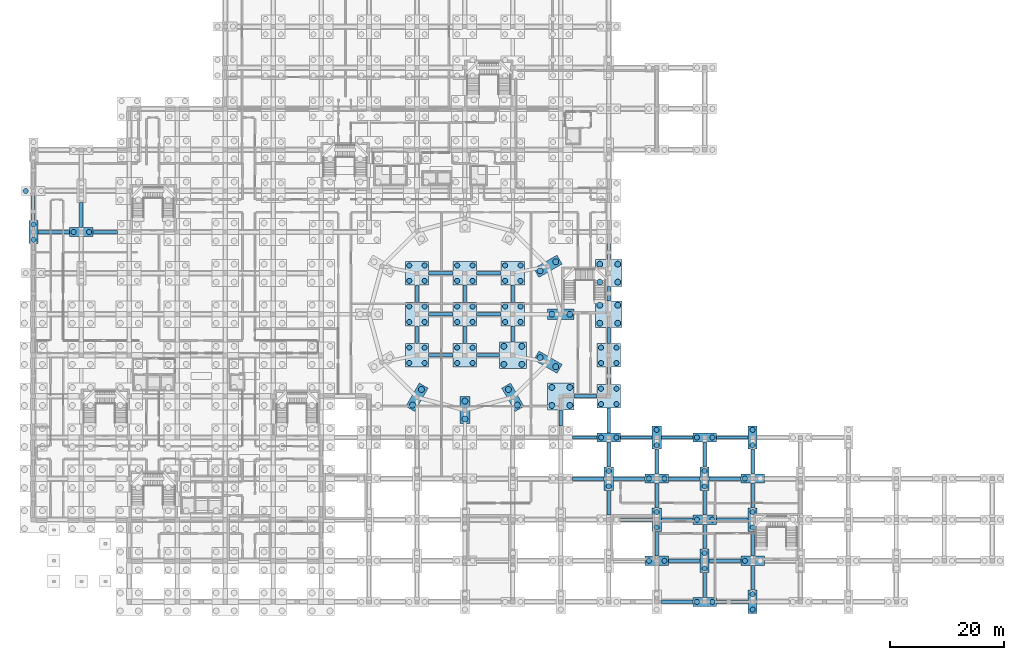
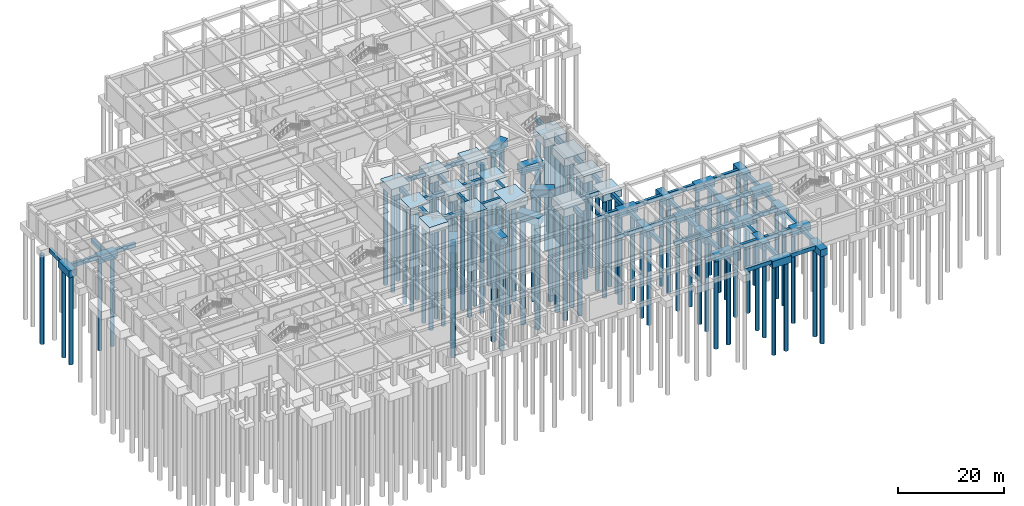
# One storey, part 4 of 32: 103 piles, 89 footings.
"""IFC4 building model written with IfcOpenShell, lengths in metres."""

from ifc_helpers import new_model, si_unit, derived_unit, direction, frame, origin, origin_2d, place, context, subcontext, project, spatial, rectangle, circle, extrude, material, material_profile, profile_set, type_object, element, save


model = new_model("IFC4")

# Units and contexts
model_context = context("Model", 3, precision=1e-05, world=origin(), true_north=direction((0.0, 1.0)))
body_context = subcontext(model_context, "Body", "Model", "MODEL_VIEW")
ifc_project = project(units=[si_unit("LENGTHUNIT", "METRE"), si_unit("AREAUNIT", "SQUARE_METRE"), si_unit("VOLUMEUNIT", "CUBIC_METRE"), si_unit("PLANEANGLEUNIT", "RADIAN"), si_unit("MASSUNIT", "GRAM", prefix="KILO"), derived_unit("THERMALTRANSMITTANCEUNIT", [(si_unit("POWERUNIT", "WATT"), 1), (si_unit("LENGTHUNIT", "METRE"), -2), (si_unit("THERMODYNAMICTEMPERATUREUNIT", "KELVIN"), -1)])], contexts=[model_context])

# Site, building, storey
site_placement = place(None, origin())
site = spatial("IfcSite", under=ifc_project, at=site_placement, CompositionType="ELEMENT")
building_placement = place(site_placement, origin())
building = spatial("IfcBuilding", under=site, at=building_placement, Name="Veybourne Emporium", CompositionType="ELEMENT")
storey_placement = place(building_placement, frame((0.0, 0.0, -5.39990234375)))
storey = spatial("IfcBuildingStorey", under=building, at=storey_placement, Name="B1", CompositionType="ELEMENT", Elevation=-5.39990234375)

# Footings
ifc_material = material(Name="Concrete C35/45", Category="concrete")
footing_type_1 = type_object("IfcFootingType", Name="GroundBeam_GB-2500", PredefinedType="FOOTING_BEAM", material=ifc_material)
footing_placement = place(storey_placement, frame((100.800048828125, 54.0, -0.900146484375), z_axis=(0.0, 0.0, 1.0), x_axis=(0.0, 1.0, 0.0)))
element("IfcFooting", 1, at=footing_placement, inside=storey, type_object=footing_type_1, Name="Ground tie beam GB-2500", PredefinedType="FOOTING_BEAM", context=body_context, shape_type="SweptSolid", body=[
    extrude(rectangle(XDim=2.5, YDim=0.60009765625, at=origin_2d()), origin(), (0.0, 0.0, 1.0), 0.89990234375),
])
footing_type_2 = type_object("IfcFootingType", Name="GroundBeam_GB-2800", PredefinedType="FOOTING_BEAM", material=ifc_material)
for number, where, z_axis, x_axis, name in (
    (2, (84.0, 46.949951171875, -0.900146484375), (0.0, 0.0, 1.0), (0.0, 1.0, 0.0), "Ground tie beam GB-2800"),
    (3, (92.39990234375, 32.25, -0.900146484375), (0.0, 0.0, 1.0), (0.0, 1.0, 0.0), "Ground tie beam GB-2800"),
    (4, (100.800048828125, 46.64990234375, -0.900146484375), (0.0, 0.0, 1.0), (0.0, 1.0, 0.0), "Ground tie beam GB-2800"),
    (5, (100.800048828125, 61.35009765625, -0.900146484375), (0.0, 0.0, 1.0), (0.0, 1.0, 0.0), "Ground tie beam GB-2800"),
):
    element("IfcFooting", number, at=place(storey_placement, frame(where, z_axis=z_axis, x_axis=x_axis)), inside=storey, type_object=footing_type_2, Name=name, PredefinedType="FOOTING_BEAM", context=body_context, shape_type="SweptSolid", body=[
        extrude(rectangle(XDim=2.800048828125, YDim=0.60009765625, at=origin_2d()), origin(), (0.0, 0.0, 1.0), 0.89990234375),
    ])
footing_type_3 = type_object("IfcFootingType", Name="GroundBeam_GB-3100", PredefinedType="FOOTING_BEAM", material=ifc_material)
for number, where, z_axis, x_axis, name in (
    (6, (67.199951171875, 46.800048828125, -0.900146484375), (0.0, 0.0, 1.0), (0.0, 1.0, 0.0), "Ground tie beam GB-3100"),
    (7, (67.199951171875, 54.0, -0.900146484375), (0.0, 0.0, 1.0), (0.0, 1.0, 0.0), "Ground tie beam GB-3100"),
    (8, (75.60009765625, 46.800048828125, -0.900146484375), (0.0, 0.0, 1.0), (0.0, 1.0, 0.0), "Ground tie beam GB-3100"),
    (9, (75.60009765625, 54.0, -0.900146484375), (0.0, 0.0, 1.0), (0.0, 1.0, 0.0), "Ground tie beam GB-3100"),
    (10, (84.0, 54.0, -0.900146484375), (0.0, 0.0, 1.0), (0.0, 1.0, 0.0), "Ground tie beam GB-3100"),
    (11, (100.800048828125, 39.60009765625, -0.900146484375), (0.0, 0.0, 1.0), (0.0, 1.0, 0.0), "Ground tie beam GB-3100"),
):
    element("IfcFooting", number, at=place(storey_placement, frame(where, z_axis=z_axis, x_axis=x_axis)), inside=storey, type_object=footing_type_3, Name=name, PredefinedType="FOOTING_BEAM", context=body_context, shape_type="SweptSolid", body=[
        extrude(rectangle(XDim=3.10009765625, YDim=0.60009765625, at=origin_2d()), origin(), (0.0, 0.0, 1.0), 0.89990234375),
    ])
footing_type_4 = type_object("IfcFootingType", Name="GroundBeam_GB-4000", PredefinedType="FOOTING_BEAM", material=ifc_material)
for number, where, z_axis, x_axis, name in (
    (12, (79.64990234375, 43.199951171875, -0.900146484375), (0.0, 0.0, 1.0), (1.0, 0.0, 0.0), "Ground tie beam GB-4000"),
    (13, (96.75, 36.0, -0.900146484375), (0.0, 0.0, 1.0), (1.0, 0.0, 0.0), "Ground tie beam GB-4000"),
):
    element("IfcFooting", number, at=place(storey_placement, frame(where, z_axis=z_axis, x_axis=x_axis)), inside=storey, type_object=footing_type_4, Name=name, PredefinedType="FOOTING_BEAM", context=body_context, shape_type="SweptSolid", body=[
        extrude(rectangle(XDim=4.0, YDim=0.60009765625, at=origin_2d()), origin(), (0.0, 0.0, 1.0), 0.89990234375),
    ])
footing_type_5 = type_object("IfcFootingType", Name="GroundBeam_GB-4300", PredefinedType="FOOTING_BEAM", material=ifc_material)
for number, where, z_axis, x_axis, name in (
    (14, (12.60009765625, 64.800048828125, -0.900146484375), (0.0, 0.0, 1.0), (1.0, 0.0, 0.0), "Ground tie beam GB-4300"),
    (15, (71.39990234375, 43.199951171875, -0.900146484375), (0.0, 0.0, 1.0), (1.0, 0.0, 0.0), "Ground tie beam GB-4300"),
    (16, (71.39990234375, 50.39990234375, -0.900146484375), (0.0, 0.0, 1.0), (1.0, 0.0, 0.0), "Ground tie beam GB-4300"),
    (17, (71.39990234375, 57.60009765625, -0.900146484375), (0.0, 0.0, 1.0), (1.0, 0.0, 0.0), "Ground tie beam GB-4300"),
    (18, (79.800048828125, 50.39990234375, -0.900146484375), (0.0, 0.0, 1.0), (1.0, 0.0, 0.0), "Ground tie beam GB-4300"),
    (19, (79.800048828125, 57.60009765625, -0.900146484375), (0.0, 0.0, 1.0), (1.0, 0.0, 0.0), "Ground tie beam GB-4300"),
    (20, (96.60009765625, 28.800048828125, -0.900146484375), (0.0, 0.0, 1.0), (1.0, 0.0, 0.0), "Ground tie beam GB-4300"),
):
    element("IfcFooting", number, at=place(storey_placement, frame(where, z_axis=z_axis, x_axis=x_axis)), inside=storey, type_object=footing_type_5, Name=name, PredefinedType="FOOTING_BEAM", context=body_context, shape_type="SweptSolid", body=[
        extrude(rectangle(XDim=4.300048828125, YDim=0.60009765625, at=origin_2d()), origin(), (0.0, 0.0, 1.0), 0.89990234375),
    ])
footing_type_6 = type_object("IfcFootingType", Name="GroundBeam_GB-4350", PredefinedType="FOOTING_BEAM", material=ifc_material)
for number, where, z_axis, x_axis, name in (
    (21, (0.0, 69.02490234375, -0.900146484375), (0.0, 0.0, 1.0), (0.0, 1.0, 0.0), "Ground tie beam GB-4350"),
    (22, (8.39990234375, 67.77490234375, -0.900146484375), (0.0, 0.0, 1.0), (0.0, 1.0, 0.0), "Ground tie beam GB-4350"),
    (23, (100.800048828125, 17.375, -0.900146484375), (0.0, 0.0, 1.0), (0.0, 1.0, 0.0), "Ground tie beam GB-4350"),
    (24, (100.800048828125, 25.824951171875, -0.900146484375), (0.0, 0.0, 1.0), (0.0, 1.0, 0.0), "Ground tie beam GB-4350"),
    (25, (100.800048828125, 31.77490234375, -0.900146484375), (0.0, 0.0, 1.0), (0.0, 1.0, 0.0), "Ground tie beam GB-4350"),
    (26, (109.199951171875, 10.175048828125, -0.900146484375), (0.0, 0.0, 1.0), (0.0, 1.0, 0.0), "Ground tie beam GB-4350"),
    (27, (109.199951171875, 18.625, -0.900146484375), (0.0, 0.0, 1.0), (0.0, 1.0, 0.0), "Ground tie beam GB-4350"),
    (28, (109.199951171875, 24.574951171875, -0.900146484375), (0.0, 0.0, 1.0), (0.0, 1.0, 0.0), "Ground tie beam GB-4350"),
    (29, (117.60009765625, 2.97509765625, -0.900146484375), (0.0, 0.0, 1.0), (0.0, 1.0, 0.0), "Ground tie beam GB-4350"),
    (30, (117.60009765625, 11.425048828125, -0.900146484375), (0.0, 0.0, 1.0), (0.0, 1.0, 0.0), "Ground tie beam GB-4350"),
    (31, (117.60009765625, 17.375, -0.900146484375), (0.0, 0.0, 1.0), (0.0, 1.0, 0.0), "Ground tie beam GB-4350"),
    (32, (117.60009765625, 25.824951171875, -0.900146484375), (0.0, 0.0, 1.0), (0.0, 1.0, 0.0), "Ground tie beam GB-4350"),
    (33, (126.0, 4.22509765625, -0.900146484375), (0.0, 0.0, 1.0), (0.0, 1.0, 0.0), "Ground tie beam GB-4350"),
    (34, (126.0, 10.175048828125, -0.900146484375), (0.0, 0.0, 1.0), (0.0, 1.0, 0.0), "Ground tie beam GB-4350"),
    (35, (126.0, 18.625, -0.900146484375), (0.0, 0.0, 1.0), (0.0, 1.0, 0.0), "Ground tie beam GB-4350"),
    (36, (126.0, 24.574951171875, -0.900146484375), (0.0, 0.0, 1.0), (0.0, 1.0, 0.0), "Ground tie beam GB-4350"),
):
    element("IfcFooting", number, at=place(storey_placement, frame(where, z_axis=z_axis, x_axis=x_axis)), inside=storey, type_object=footing_type_6, Name=name, PredefinedType="FOOTING_BEAM", context=body_context, shape_type="SweptSolid", body=[
        extrude(rectangle(XDim=4.35009765625, YDim=0.60009765625, at=origin_2d()), origin(), (0.0, 0.0, 1.0), 0.89990234375),
    ])
footing_type_7 = type_object("IfcFootingType", Name="GroundBeam_GB-5550", PredefinedType="FOOTING_BEAM", material=ifc_material)
for number, where, z_axis, x_axis, name in (
    (37, (3.574951171875, 64.800048828125, -0.900146484375), (0.0, 0.0, 1.0), (1.0, 0.0, 0.0), "Ground tie beam GB-5550"),
    (38, (97.22509765625, 21.60009765625, -0.900146484375), (0.0, 0.0, 1.0), (1.0, 0.0, 0.0), "Ground tie beam GB-5550"),
    (39, (105.625, 14.39990234375, -0.900146484375), (0.0, 0.0, 1.0), (1.0, 0.0, 0.0), "Ground tie beam GB-5550"),
    (40, (104.375, 21.60009765625, -0.900146484375), (0.0, 0.0, 1.0), (1.0, 0.0, 0.0), "Ground tie beam GB-5550"),
    (41, (105.625, 28.800048828125, -0.900146484375), (0.0, 0.0, 1.0), (1.0, 0.0, 0.0), "Ground tie beam GB-5550"),
    (42, (112.77490234375, 0.0, -0.900146484375), (0.0, 0.0, 1.0), (1.0, 0.0, 0.0), "Ground tie beam GB-5550"),
    (43, (114.02490234375, 7.199951171875, -0.900146484375), (0.0, 0.0, 1.0), (1.0, 0.0, 0.0), "Ground tie beam GB-5550"),
    (44, (112.77490234375, 14.39990234375, -0.900146484375), (0.0, 0.0, 1.0), (1.0, 0.0, 0.0), "Ground tie beam GB-5550"),
    (45, (114.02490234375, 21.60009765625, -0.900146484375), (0.0, 0.0, 1.0), (1.0, 0.0, 0.0), "Ground tie beam GB-5550"),
    (46, (112.77490234375, 28.800048828125, -0.900146484375), (0.0, 0.0, 1.0), (1.0, 0.0, 0.0), "Ground tie beam GB-5550"),
    (47, (122.425048828125, 0.0, -0.900146484375), (0.0, 0.0, 1.0), (1.0, 0.0, 0.0), "Ground tie beam GB-5550"),
    (48, (121.175048828125, 7.199951171875, -0.900146484375), (0.0, 0.0, 1.0), (1.0, 0.0, 0.0), "Ground tie beam GB-5550"),
    (49, (122.425048828125, 14.39990234375, -0.900146484375), (0.0, 0.0, 1.0), (1.0, 0.0, 0.0), "Ground tie beam GB-5550"),
    (50, (121.175048828125, 21.60009765625, -0.900146484375), (0.0, 0.0, 1.0), (1.0, 0.0, 0.0), "Ground tie beam GB-5550"),
    (51, (122.425048828125, 28.800048828125, -0.900146484375), (0.0, 0.0, 1.0), (1.0, 0.0, 0.0), "Ground tie beam GB-5550"),
):
    element("IfcFooting", number, at=place(storey_placement, frame(where, z_axis=z_axis, x_axis=x_axis)), inside=storey, type_object=footing_type_7, Name=name, PredefinedType="FOOTING_BEAM", context=body_context, shape_type="SweptSolid", body=[
        extrude(rectangle(XDim=5.550048828125, YDim=0.60009765625, at=origin_2d()), origin(), (0.0, 0.0, 1.0), 0.89990234375),
    ])
footing_type_8 = type_object("IfcFootingType", Name="PileCap_PC-02", PredefinedType="PILE_CAP", material=ifc_material)
for number, where, z_axis, x_axis, name in (
    (52, (8.39990234375, 64.800048828125, -1.60009765625), (0.0, 0.0, 1.0), (1.0, 0.0, 0.0), "Pile cap PC-02 at grid (1,9)"),
    (53, (100.800048828125, 28.800048828125, -1.60009765625), (0.0, 0.0, 1.0), (1.0, 0.0, 0.0), "Pile cap PC-02 at grid (12,4)"),
    (54, (109.199951171875, 7.199951171875, -1.60009765625), (0.0, 0.0, 1.0), (1.0, 0.0, 0.0), "Pile cap PC-02 at grid (13,1)"),
    (55, (109.199951171875, 21.60009765625, -1.60009765625), (0.0, 0.0, 1.0), (1.0, 0.0, 0.0), "Pile cap PC-02 at grid (13,3)"),
    (56, (117.60009765625, 0.0, -1.60009765625), (0.0, 0.0, 1.0), (1.0, 0.0, 0.0), "Pile cap PC-02 at grid (14,0)"),
    (57, (117.60009765625, 14.39990234375, -1.60009765625), (0.0, 0.0, 1.0), (1.0, 0.0, 0.0), "Pile cap PC-02 at grid (14,2)"),
    (58, (117.60009765625, 28.800048828125, -1.60009765625), (0.0, 0.0, 1.0), (1.0, 0.0, 0.0), "Pile cap PC-02 at grid (14,4)"),
    (59, (126.0, 7.199951171875, -1.60009765625), (0.0, 0.0, 1.0), (1.0, 0.0, 0.0), "Pile cap PC-02 at grid (15,1)"),
    (60, (126.0, 21.60009765625, -1.60009765625), (0.0, 0.0, 1.0), (1.0, 0.0, 0.0), "Pile cap PC-02 at grid (15,3)"),
):
    element("IfcFooting", number, at=place(storey_placement, frame(where, z_axis=z_axis, x_axis=x_axis)), inside=storey, type_object=footing_type_8, Name=name, PredefinedType="PILE_CAP", context=body_context, shape_type="SweptSolid", body=[
        extrude(rectangle(XDim=4.10009765625, YDim=1.60009765625, at=origin_2d()), origin(), (0.0, 0.0, 1.0), 1.60009765625),
    ])
footing_type_9 = type_object("IfcFootingType", Name="PileCap_PC-03", PredefinedType="PILE_CAP", material=ifc_material)
for number, where, z_axis, x_axis, name in (
    (61, (0.0, 64.800048828125, -1.60009765625), (0.0, 0.0, 1.0), (1.0, 0.0, 0.0), "Pile cap PC-03 at grid (0,9)"),
    (62, (100.800048828125, 21.60009765625, -1.60009765625), (0.0, 0.0, 1.0), (1.0, 0.0, 0.0), "Pile cap PC-03 at grid (12,3)"),
    (63, (109.199951171875, 14.39990234375, -1.60009765625), (0.0, 0.0, 1.0), (1.0, 0.0, 0.0), "Pile cap PC-03 at grid (13,2)"),
    (64, (109.199951171875, 28.800048828125, -1.60009765625), (0.0, 0.0, 1.0), (1.0, 0.0, 0.0), "Pile cap PC-03 at grid (13,4)"),
    (65, (117.60009765625, 7.199951171875, -1.60009765625), (0.0, 0.0, 1.0), (1.0, 0.0, 0.0), "Pile cap PC-03 at grid (14,1)"),
    (66, (117.60009765625, 21.60009765625, -1.60009765625), (0.0, 0.0, 1.0), (1.0, 0.0, 0.0), "Pile cap PC-03 at grid (14,3)"),
    (67, (126.0, 0.0, -1.60009765625), (0.0, 0.0, 1.0), (1.0, 0.0, 0.0), "Pile cap PC-03 at grid (15,0)"),
    (68, (126.0, 14.39990234375, -1.60009765625), (0.0, 0.0, 1.0), (1.0, 0.0, 0.0), "Pile cap PC-03 at grid (15,2)"),
    (69, (126.0, 28.800048828125, -1.60009765625), (0.0, 0.0, 1.0), (1.0, 0.0, 0.0), "Pile cap PC-03 at grid (15,4)"),
):
    element("IfcFooting", number, at=place(storey_placement, frame(where, z_axis=z_axis, x_axis=x_axis)), inside=storey, type_object=footing_type_9, Name=name, PredefinedType="PILE_CAP", context=body_context, shape_type="SweptSolid", body=[
        extrude(rectangle(XDim=1.60009765625, YDim=4.10009765625, at=origin_2d()), origin(), (0.0, 0.0, 1.0), 1.60009765625),
    ])
footing_type_10 = type_object("IfcFootingType", Name="PileCap_PC-04", PredefinedType="PILE_CAP", material=ifc_material)
for number, where, z_axis, x_axis, name in (
    (70, (67.199951171875, 43.199951171875, -1.60009765625), (0.0, 0.0, 1.0), (1.0, 0.0, 0.0), "Pile cap PC-04 at grid (8,6)"),
    (71, (67.199951171875, 50.39990234375, -1.60009765625), (0.0, 0.0, 1.0), (1.0, 0.0, 0.0), "Pile cap PC-04 at grid (8,7)"),
    (72, (67.199951171875, 57.60009765625, -1.60009765625), (0.0, 0.0, 1.0), (1.0, 0.0, 0.0), "Pile cap PC-04 at grid (8,8)"),
    (73, (75.60009765625, 43.199951171875, -1.60009765625), (0.0, 0.0, 1.0), (1.0, 0.0, 0.0), "Pile cap PC-04 at grid (9,6)"),
    (74, (75.60009765625, 50.39990234375, -1.60009765625), (0.0, 0.0, 1.0), (1.0, 0.0, 0.0), "Pile cap PC-04 at grid (9,7)"),
    (75, (75.60009765625, 57.60009765625, -1.60009765625), (0.0, 0.0, 1.0), (1.0, 0.0, 0.0), "Pile cap PC-04 at grid (9,8)"),
    (76, (84.0, 50.39990234375, -1.60009765625), (0.0, 0.0, 1.0), (1.0, 0.0, 0.0), "Pile cap PC-04 at grid (10,7)"),
    (77, (84.0, 57.60009765625, -1.60009765625), (0.0, 0.0, 1.0), (1.0, 0.0, 0.0), "Pile cap PC-04 at grid (10,8)"),
    (78, (100.800048828125, 36.0, -1.60009765625), (0.0, 0.0, 1.0), (1.0, 0.0, 0.0), "Pile cap PC-04 at grid (12,5)"),
    (79, (100.800048828125, 43.199951171875, -1.60009765625), (0.0, 0.0, 1.0), (1.0, 0.0, 0.0), "Pile cap PC-04 at grid (12,6)"),
):
    element("IfcFooting", number, at=place(storey_placement, frame(where, z_axis=z_axis, x_axis=x_axis)), inside=storey, type_object=footing_type_10, Name=name, PredefinedType="PILE_CAP", context=body_context, shape_type="SweptSolid", body=[
        extrude(rectangle(XDim=4.10009765625, YDim=4.10009765625, at=origin_2d()), origin(), (0.0, 0.0, 1.0), 1.60009765625),
    ])
footing_type_11 = type_object("IfcFootingType", Name="PileCap_PC-05", PredefinedType="PILE_CAP", material=ifc_material)
for number, where, z_axis, x_axis, name in (
    (80, (84.0, 43.199951171875, -1.80029296875), (0.0, 0.0, 1.0), (1.0, 0.0, 0.0), "Pile cap PC-05 at grid (10,6)"),
    (81, (92.39990234375, 36.0, -1.80029296875), (0.0, 0.0, 1.0), (1.0, 0.0, 0.0), "Pile cap PC-05 at grid (11,5)"),
    (82, (100.800048828125, 50.39990234375, -1.80029296875), (0.0, 0.0, 1.0), (1.0, 0.0, 0.0), "Pile cap PC-05 at grid (12,7)"),
    (83, (100.800048828125, 57.60009765625, -1.80029296875), (0.0, 0.0, 1.0), (1.0, 0.0, 0.0), "Pile cap PC-05 at grid (12,8)"),
):
    element("IfcFooting", number, at=place(storey_placement, frame(where, z_axis=z_axis, x_axis=x_axis)), inside=storey, type_object=footing_type_11, Name=name, PredefinedType="PILE_CAP", context=body_context, shape_type="SweptSolid", body=[
        extrude(rectangle(XDim=4.699951171875, YDim=4.699951171875, at=origin_2d()), origin(), (0.0, 0.0, 1.0), 1.800048828125),
    ])
footing_type_12 = type_object("IfcFootingType", Name="PileCap_PC-12", PredefinedType="PILE_CAP", material=ifc_material)
for number, where, z_axis, x_axis, name in (
    (84, (92.39990234375, 50.39990234375, -1.7001953125), (0.0, 0.0, 1.0), (1.0, 0.0, 0.0), "Atrium drum pile cap 1"),
    (85, (90.149169921875, 58.800048828125, -1.7001953125), (0.0, 0.0, 1.0), (0.866025403784, 0.5, 0.0), "Atrium drum pile cap 2"),
    (86, (67.199951171875, 35.850830078125, -1.7001953125), (0.0, 0.0, 1.0), (-0.5, -0.866025403784, 0.0), "Atrium drum pile cap 9"),
    (87, (75.60009765625, 33.60009765625, -1.7001953125), (0.0, 0.0, 1.0), (0.0, -1.0, 0.0), "Atrium drum pile cap 10"),
    (88, (84.0, 35.850830078125, -1.7001953125), (0.0, 0.0, 1.0), (0.5, -0.866025403784, 0.0), "Atrium drum pile cap 11"),
    (89, (90.149169921875, 42.0, -1.7001953125), (0.0, 0.0, 1.0), (0.866025403784, -0.5, 0.0), "Atrium drum pile cap 12"),
):
    element("IfcFooting", number, at=place(storey_placement, frame(where, z_axis=z_axis, x_axis=x_axis)), inside=storey, type_object=footing_type_12, Name=name, PredefinedType="PILE_CAP", context=body_context, shape_type="SweptSolid", body=[
        extrude(rectangle(XDim=4.699951171875, YDim=1.800048828125, at=origin_2d()), origin(), (0.0, 0.0, 1.0), 1.699951171875),
    ])

# Piles
ifc_material_profile_1 = material_profile(ifc_material, circle(Radius=0.449951171875, at=origin_2d()), Name="BORED PILE 900")
ifc_profile_set_1 = profile_set([ifc_material_profile_1], Name="Concrete C35/45")
pile_type_1 = type_object("IfcPileType", Name="Pile_P-01", PredefinedType="BORED", material=ifc_profile_set_1)
for number, where, z_axis, x_axis, name in (
    (90, (65.85009765625, 41.85009765625, -1.4501953125), (0.0, 0.0, -1.0), (1.0, 0.0, 0.0), "Bored pile P-01-411"),
    (91, (68.550048828125, 41.85009765625, -1.4501953125), (0.0, 0.0, -1.0), (1.0, 0.0, 0.0), "Bored pile P-01-412"),
    (92, (65.85009765625, 44.550048828125, -1.4501953125), (0.0, 0.0, -1.0), (1.0, 0.0, 0.0), "Bored pile P-01-413"),
    (93, (68.550048828125, 44.550048828125, -1.4501953125), (0.0, 0.0, -1.0), (1.0, 0.0, 0.0), "Bored pile P-01-414"),
    (94, (65.85009765625, 49.050048828125, -1.4501953125), (0.0, 0.0, -1.0), (1.0, 0.0, 0.0), "Bored pile P-01-415"),
    (95, (68.550048828125, 49.050048828125, -1.4501953125), (0.0, 0.0, -1.0), (1.0, 0.0, 0.0), "Bored pile P-01-416"),
    (96, (65.85009765625, 51.75, -1.4501953125), (0.0, 0.0, -1.0), (1.0, 0.0, 0.0), "Bored pile P-01-417"),
    (97, (68.550048828125, 51.75, -1.4501953125), (0.0, 0.0, -1.0), (1.0, 0.0, 0.0), "Bored pile P-01-418"),
    (98, (65.85009765625, 56.25, -1.4501953125), (0.0, 0.0, -1.0), (1.0, 0.0, 0.0), "Bored pile P-01-419"),
    (99, (68.550048828125, 56.25, -1.4501953125), (0.0, 0.0, -1.0), (1.0, 0.0, 0.0), "Bored pile P-01-420"),
    (100, (65.85009765625, 58.949951171875, -1.4501953125), (0.0, 0.0, -1.0), (1.0, 0.0, 0.0), "Bored pile P-01-421"),
    (101, (68.550048828125, 58.949951171875, -1.4501953125), (0.0, 0.0, -1.0), (1.0, 0.0, 0.0), "Bored pile P-01-422"),
    (102, (74.25, 41.85009765625, -1.4501953125), (0.0, 0.0, -1.0), (1.0, 0.0, 0.0), "Bored pile P-01-459"),
    (103, (76.949951171875, 41.85009765625, -1.4501953125), (0.0, 0.0, -1.0), (1.0, 0.0, 0.0), "Bored pile P-01-460"),
    (104, (74.25, 44.550048828125, -1.4501953125), (0.0, 0.0, -1.0), (1.0, 0.0, 0.0), "Bored pile P-01-461"),
    (105, (76.949951171875, 44.550048828125, -1.4501953125), (0.0, 0.0, -1.0), (1.0, 0.0, 0.0), "Bored pile P-01-462"),
    (106, (74.25, 49.050048828125, -1.4501953125), (0.0, 0.0, -1.0), (1.0, 0.0, 0.0), "Bored pile P-01-463"),
    (107, (76.949951171875, 49.050048828125, -1.4501953125), (0.0, 0.0, -1.0), (1.0, 0.0, 0.0), "Bored pile P-01-464"),
    (108, (74.25, 51.75, -1.4501953125), (0.0, 0.0, -1.0), (1.0, 0.0, 0.0), "Bored pile P-01-465"),
    (109, (76.949951171875, 51.75, -1.4501953125), (0.0, 0.0, -1.0), (1.0, 0.0, 0.0), "Bored pile P-01-466"),
    (110, (74.25, 56.25, -1.4501953125), (0.0, 0.0, -1.0), (1.0, 0.0, 0.0), "Bored pile P-01-467"),
    (111, (76.949951171875, 56.25, -1.4501953125), (0.0, 0.0, -1.0), (1.0, 0.0, 0.0), "Bored pile P-01-468"),
    (112, (74.25, 58.949951171875, -1.4501953125), (0.0, 0.0, -1.0), (1.0, 0.0, 0.0), "Bored pile P-01-469"),
    (113, (76.949951171875, 58.949951171875, -1.4501953125), (0.0, 0.0, -1.0), (1.0, 0.0, 0.0), "Bored pile P-01-470"),
    (114, (82.64990234375, 49.050048828125, -1.4501953125), (0.0, 0.0, -1.0), (1.0, 0.0, 0.0), "Bored pile P-01-511"),
    (115, (85.35009765625, 49.050048828125, -1.4501953125), (0.0, 0.0, -1.0), (1.0, 0.0, 0.0), "Bored pile P-01-512"),
    (116, (82.64990234375, 51.75, -1.4501953125), (0.0, 0.0, -1.0), (1.0, 0.0, 0.0), "Bored pile P-01-513"),
    (117, (85.35009765625, 51.75, -1.4501953125), (0.0, 0.0, -1.0), (1.0, 0.0, 0.0), "Bored pile P-01-514"),
    (118, (82.64990234375, 56.25, -1.4501953125), (0.0, 0.0, -1.0), (1.0, 0.0, 0.0), "Bored pile P-01-515"),
    (119, (85.35009765625, 56.25, -1.4501953125), (0.0, 0.0, -1.0), (1.0, 0.0, 0.0), "Bored pile P-01-516"),
    (120, (82.64990234375, 58.949951171875, -1.4501953125), (0.0, 0.0, -1.0), (1.0, 0.0, 0.0), "Bored pile P-01-517"),
    (121, (85.35009765625, 58.949951171875, -1.4501953125), (0.0, 0.0, -1.0), (1.0, 0.0, 0.0), "Bored pile P-01-518"),
    (122, (99.449951171875, 34.64990234375, -1.4501953125), (0.0, 0.0, -1.0), (1.0, 0.0, 0.0), "Bored pile P-01-597"),
    (123, (102.14990234375, 34.64990234375, -1.4501953125), (0.0, 0.0, -1.0), (1.0, 0.0, 0.0), "Bored pile P-01-598"),
    (124, (99.449951171875, 37.35009765625, -1.4501953125), (0.0, 0.0, -1.0), (1.0, 0.0, 0.0), "Bored pile P-01-599"),
    (125, (102.14990234375, 37.35009765625, -1.4501953125), (0.0, 0.0, -1.0), (1.0, 0.0, 0.0), "Bored pile P-01-600"),
    (126, (99.449951171875, 41.85009765625, -1.4501953125), (0.0, 0.0, -1.0), (1.0, 0.0, 0.0), "Bored pile P-01-601"),
    (127, (102.14990234375, 41.85009765625, -1.4501953125), (0.0, 0.0, -1.0), (1.0, 0.0, 0.0), "Bored pile P-01-602"),
    (128, (99.449951171875, 44.550048828125, -1.4501953125), (0.0, 0.0, -1.0), (1.0, 0.0, 0.0), "Bored pile P-01-603"),
    (129, (102.14990234375, 44.550048828125, -1.4501953125), (0.0, 0.0, -1.0), (1.0, 0.0, 0.0), "Bored pile P-01-604"),
):
    element("IfcPile", number, at=place(storey_placement, frame(where, z_axis=z_axis, x_axis=x_axis)), inside=storey, type_object=pile_type_1, Name=name, PredefinedType="BORED", context=body_context, shape_type="SweptSolid", body=[
        extrude(circle(Radius=0.449951171875, at=origin_2d()), origin(), (0.0, 0.0, 1.0), 22.550048828125),
    ])
ifc_material_profile_2 = material_profile(ifc_material, circle(Radius=0.52490234375, at=origin_2d()), Name="BORED PILE 1050")
ifc_profile_set_2 = profile_set([ifc_material_profile_2], Name="Concrete C35/45")
pile_type_2 = type_object("IfcPileType", Name="Pile_P-02", PredefinedType="BORED", material=ifc_profile_set_2)
for number, where, z_axis, x_axis, name in (
    (130, (90.824951171875, 50.39990234375, -1.550048828125), (0.0, 0.0, -1.0), (1.0, 0.0, 0.0), "Atrium drum bored pile 1.1"),
    (131, (93.97509765625, 50.39990234375, -1.550048828125), (0.0, 0.0, -1.0), (1.0, 0.0, 0.0), "Atrium drum bored pile 1.2"),
    (132, (88.78515625, 58.012451171875, -1.550048828125), (0.0, 0.0, -1.0), (1.0, 0.0, 0.0), "Atrium drum bored pile 2.1"),
    (133, (91.51318359375, 59.58740234375, -1.550048828125), (0.0, 0.0, -1.0), (1.0, 0.0, 0.0), "Atrium drum bored pile 2.2"),
    (134, (67.987548828125, 37.21484375, -1.550048828125), (0.0, 0.0, -1.0), (1.0, 0.0, 0.0), "Atrium drum bored pile 9.1"),
    (135, (66.41259765625, 34.48681640625, -1.550048828125), (0.0, 0.0, -1.0), (1.0, 0.0, 0.0), "Atrium drum bored pile 9.2"),
    (136, (75.60009765625, 35.175048828125, -1.550048828125), (0.0, 0.0, -1.0), (1.0, 0.0, 0.0), "Atrium drum bored pile 10.1"),
    (137, (75.60009765625, 32.02490234375, -1.550048828125), (0.0, 0.0, -1.0), (1.0, 0.0, 0.0), "Atrium drum bored pile 10.2"),
    (138, (83.21240234375, 37.21484375, -1.550048828125), (0.0, 0.0, -1.0), (1.0, 0.0, 0.0), "Atrium drum bored pile 11.1"),
    (139, (84.78759765625, 34.48681640625, -1.550048828125), (0.0, 0.0, -1.0), (1.0, 0.0, 0.0), "Atrium drum bored pile 11.2"),
    (140, (88.78515625, 42.78759765625, -1.550048828125), (0.0, 0.0, -1.0), (1.0, 0.0, 0.0), "Atrium drum bored pile 12.1"),
    (141, (91.51318359375, 41.21240234375, -1.550048828125), (0.0, 0.0, -1.0), (1.0, 0.0, 0.0), "Atrium drum bored pile 12.2"),
):
    element("IfcPile", number, at=place(storey_placement, frame(where, z_axis=z_axis, x_axis=x_axis)), inside=storey, type_object=pile_type_2, Name=name, PredefinedType="BORED", context=body_context, shape_type="SweptSolid", body=[
        extrude(circle(Radius=0.52490234375, at=origin_2d()), origin(), (0.0, 0.0, 1.0), 24.449951171875),
    ])
ifc_material_profile_3 = material_profile(ifc_material, circle(Radius=0.449951171875, at=origin_2d()), Name="BORED PILE 900")
ifc_profile_set_3 = profile_set([ifc_material_profile_3], Name="Concrete C35/45")
pile_type_3 = type_object("IfcPileType", Name="Pile_P-03", PredefinedType="BORED", material=ifc_profile_set_3)
for number, where, z_axis, x_axis, name in (
    (142, (0.0, 63.449951171875, -1.4501953125), (0.0, 0.0, -1.0), (1.0, 0.0, 0.0), "Bored pile P-03-027"),
    (143, (0.0, 66.14990234375, -1.4501953125), (0.0, 0.0, -1.0), (1.0, 0.0, 0.0), "Bored pile P-03-028"),
    (144, (-1.35009765625, 72.0, -1.4501953125), (0.0, 0.0, -1.0), (1.0, 0.0, 0.0), "Bored pile P-03-029"),
    (145, (7.050048828125, 64.800048828125, -1.4501953125), (0.0, 0.0, -1.0), (1.0, 0.0, 0.0), "Bored pile P-03-059"),
    (146, (9.75, 64.800048828125, -1.4501953125), (0.0, 0.0, -1.0), (1.0, 0.0, 0.0), "Bored pile P-03-060"),
    (147, (100.800048828125, 20.25, -1.4501953125), (0.0, 0.0, -1.0), (1.0, 0.0, 0.0), "Bored pile P-03-593"),
    (148, (100.800048828125, 22.949951171875, -1.4501953125), (0.0, 0.0, -1.0), (1.0, 0.0, 0.0), "Bored pile P-03-594"),
    (149, (99.449951171875, 28.800048828125, -1.4501953125), (0.0, 0.0, -1.0), (1.0, 0.0, 0.0), "Bored pile P-03-595"),
    (150, (102.14990234375, 28.800048828125, -1.4501953125), (0.0, 0.0, -1.0), (1.0, 0.0, 0.0), "Bored pile P-03-596"),
    (151, (107.85009765625, 7.199951171875, -1.4501953125), (0.0, 0.0, -1.0), (1.0, 0.0, 0.0), "Bored pile P-03-635"),
    (152, (110.550048828125, 7.199951171875, -1.4501953125), (0.0, 0.0, -1.0), (1.0, 0.0, 0.0), "Bored pile P-03-636"),
    (153, (109.199951171875, 13.050048828125, -1.4501953125), (0.0, 0.0, -1.0), (1.0, 0.0, 0.0), "Bored pile P-03-637"),
    (154, (109.199951171875, 15.75, -1.4501953125), (0.0, 0.0, -1.0), (1.0, 0.0, 0.0), "Bored pile P-03-638"),
    (155, (107.85009765625, 21.60009765625, -1.4501953125), (0.0, 0.0, -1.0), (1.0, 0.0, 0.0), "Bored pile P-03-639"),
    (156, (110.550048828125, 21.60009765625, -1.4501953125), (0.0, 0.0, -1.0), (1.0, 0.0, 0.0), "Bored pile P-03-640"),
    (157, (109.199951171875, 27.449951171875, -1.4501953125), (0.0, 0.0, -1.0), (1.0, 0.0, 0.0), "Bored pile P-03-641"),
    (158, (109.199951171875, 30.14990234375, -1.4501953125), (0.0, 0.0, -1.0), (1.0, 0.0, 0.0), "Bored pile P-03-642"),
    (159, (116.25, 0.0, -1.4501953125), (0.0, 0.0, -1.0), (1.0, 0.0, 0.0), "Bored pile P-03-649"),
    (160, (118.949951171875, 0.0, -1.4501953125), (0.0, 0.0, -1.0), (1.0, 0.0, 0.0), "Bored pile P-03-650"),
    (161, (117.60009765625, 5.85009765625, -1.4501953125), (0.0, 0.0, -1.0), (1.0, 0.0, 0.0), "Bored pile P-03-651"),
    (162, (117.60009765625, 8.550048828125, -1.4501953125), (0.0, 0.0, -1.0), (1.0, 0.0, 0.0), "Bored pile P-03-652"),
    (163, (116.25, 14.39990234375, -1.4501953125), (0.0, 0.0, -1.0), (1.0, 0.0, 0.0), "Bored pile P-03-653"),
    (164, (118.949951171875, 14.39990234375, -1.4501953125), (0.0, 0.0, -1.0), (1.0, 0.0, 0.0), "Bored pile P-03-654"),
    (165, (117.60009765625, 20.25, -1.4501953125), (0.0, 0.0, -1.0), (1.0, 0.0, 0.0), "Bored pile P-03-655"),
    (166, (117.60009765625, 22.949951171875, -1.4501953125), (0.0, 0.0, -1.0), (1.0, 0.0, 0.0), "Bored pile P-03-656"),
    (167, (116.25, 28.800048828125, -1.4501953125), (0.0, 0.0, -1.0), (1.0, 0.0, 0.0), "Bored pile P-03-657"),
    (168, (118.949951171875, 28.800048828125, -1.4501953125), (0.0, 0.0, -1.0), (1.0, 0.0, 0.0), "Bored pile P-03-658"),
    (169, (126.0, -1.35009765625, -1.4501953125), (0.0, 0.0, -1.0), (1.0, 0.0, 0.0), "Bored pile P-03-665"),
    (170, (126.0, 1.35009765625, -1.4501953125), (0.0, 0.0, -1.0), (1.0, 0.0, 0.0), "Bored pile P-03-666"),
    (171, (124.64990234375, 7.199951171875, -1.4501953125), (0.0, 0.0, -1.0), (1.0, 0.0, 0.0), "Bored pile P-03-667"),
    (172, (126.0, 13.050048828125, -1.4501953125), (0.0, 0.0, -1.0), (1.0, 0.0, 0.0), "Bored pile P-03-669"),
    (173, (126.0, 15.75, -1.4501953125), (0.0, 0.0, -1.0), (1.0, 0.0, 0.0), "Bored pile P-03-670"),
    (174, (124.64990234375, 21.60009765625, -1.4501953125), (0.0, 0.0, -1.0), (1.0, 0.0, 0.0), "Bored pile P-03-671"),
    (175, (126.0, 27.449951171875, -1.4501953125), (0.0, 0.0, -1.0), (1.0, 0.0, 0.0), "Bored pile P-03-673"),
    (176, (126.0, 30.14990234375, -1.4501953125), (0.0, 0.0, -1.0), (1.0, 0.0, 0.0), "Bored pile P-03-674"),
):
    element("IfcPile", number, at=place(storey_placement, frame(where, z_axis=z_axis, x_axis=x_axis)), inside=storey, type_object=pile_type_3, Name=name, PredefinedType="BORED", context=body_context, shape_type="SweptSolid", body=[
        extrude(circle(Radius=0.449951171875, at=origin_2d()), origin(), (0.0, 0.0, 1.0), 20.550048828125),
    ])
ifc_material_profile_4 = material_profile(ifc_material, circle(Radius=0.52490234375, at=origin_2d()), Name="BORED PILE 1050")
ifc_profile_set_4 = profile_set([ifc_material_profile_4], Name="Concrete C35/45")
pile_type_4 = type_object("IfcPileType", Name="Pile_P-04", PredefinedType="BORED", material=ifc_profile_set_4)
for number, where, z_axis, x_axis, name in (
    (177, (82.425048828125, 41.625, -1.650146484375), (0.0, 0.0, -1.0), (1.0, 0.0, 0.0), "Bored pile P-04-507"),
    (178, (85.574951171875, 41.625, -1.650146484375), (0.0, 0.0, -1.0), (1.0, 0.0, 0.0), "Bored pile P-04-508"),
    (179, (82.425048828125, 44.77490234375, -1.650146484375), (0.0, 0.0, -1.0), (1.0, 0.0, 0.0), "Bored pile P-04-509"),
    (180, (85.574951171875, 44.77490234375, -1.650146484375), (0.0, 0.0, -1.0), (1.0, 0.0, 0.0), "Bored pile P-04-510"),
    (181, (90.824951171875, 34.425048828125, -1.650146484375), (0.0, 0.0, -1.0), (1.0, 0.0, 0.0), "Bored pile P-04-555"),
    (182, (93.97509765625, 34.425048828125, -1.650146484375), (0.0, 0.0, -1.0), (1.0, 0.0, 0.0), "Bored pile P-04-556"),
    (183, (90.824951171875, 37.574951171875, -1.650146484375), (0.0, 0.0, -1.0), (1.0, 0.0, 0.0), "Bored pile P-04-557"),
    (184, (93.97509765625, 37.574951171875, -1.650146484375), (0.0, 0.0, -1.0), (1.0, 0.0, 0.0), "Bored pile P-04-558"),
    (185, (99.22509765625, 48.824951171875, -1.650146484375), (0.0, 0.0, -1.0), (1.0, 0.0, 0.0), "Bored pile P-04-605"),
    (186, (102.375, 48.824951171875, -1.650146484375), (0.0, 0.0, -1.0), (1.0, 0.0, 0.0), "Bored pile P-04-606"),
    (187, (99.22509765625, 51.97509765625, -1.650146484375), (0.0, 0.0, -1.0), (1.0, 0.0, 0.0), "Bored pile P-04-607"),
    (188, (102.375, 51.97509765625, -1.650146484375), (0.0, 0.0, -1.0), (1.0, 0.0, 0.0), "Bored pile P-04-608"),
    (189, (99.22509765625, 56.02490234375, -1.650146484375), (0.0, 0.0, -1.0), (1.0, 0.0, 0.0), "Bored pile P-04-609"),
    (190, (102.375, 56.02490234375, -1.650146484375), (0.0, 0.0, -1.0), (1.0, 0.0, 0.0), "Bored pile P-04-610"),
    (191, (99.22509765625, 59.175048828125, -1.650146484375), (0.0, 0.0, -1.0), (1.0, 0.0, 0.0), "Bored pile P-04-611"),
    (192, (102.375, 59.175048828125, -1.650146484375), (0.0, 0.0, -1.0), (1.0, 0.0, 0.0), "Bored pile P-04-612"),
):
    element("IfcPile", number, at=place(storey_placement, frame(where, z_axis=z_axis, x_axis=x_axis)), inside=storey, type_object=pile_type_4, Name=name, PredefinedType="BORED", context=body_context, shape_type="SweptSolid", body=[
        extrude(circle(Radius=0.52490234375, at=origin_2d()), origin(), (0.0, 0.0, 1.0), 24.35009765625),
    ])

save(model, "model.ifc")
